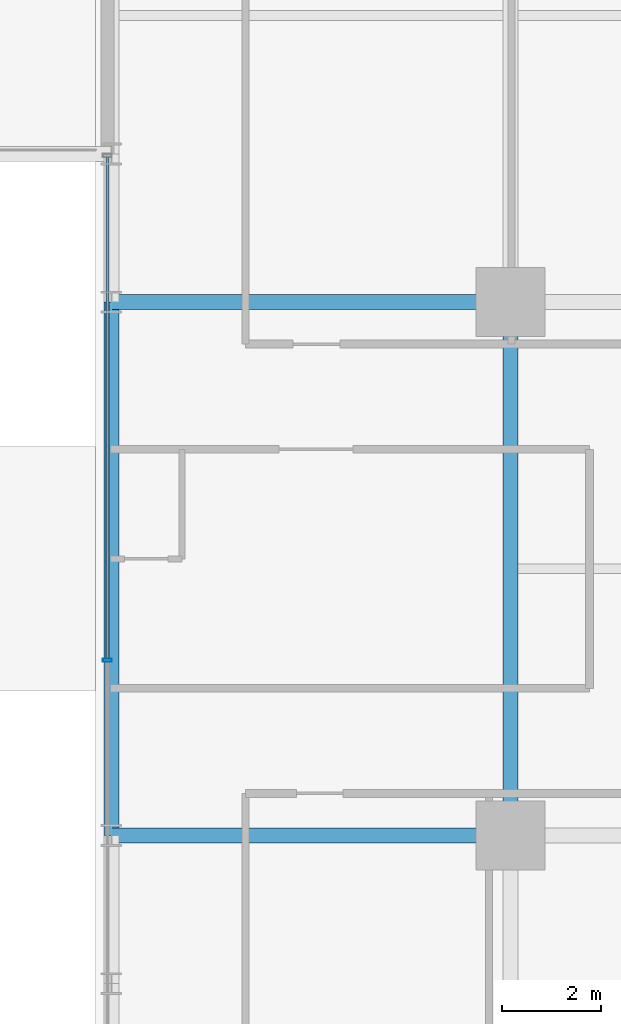
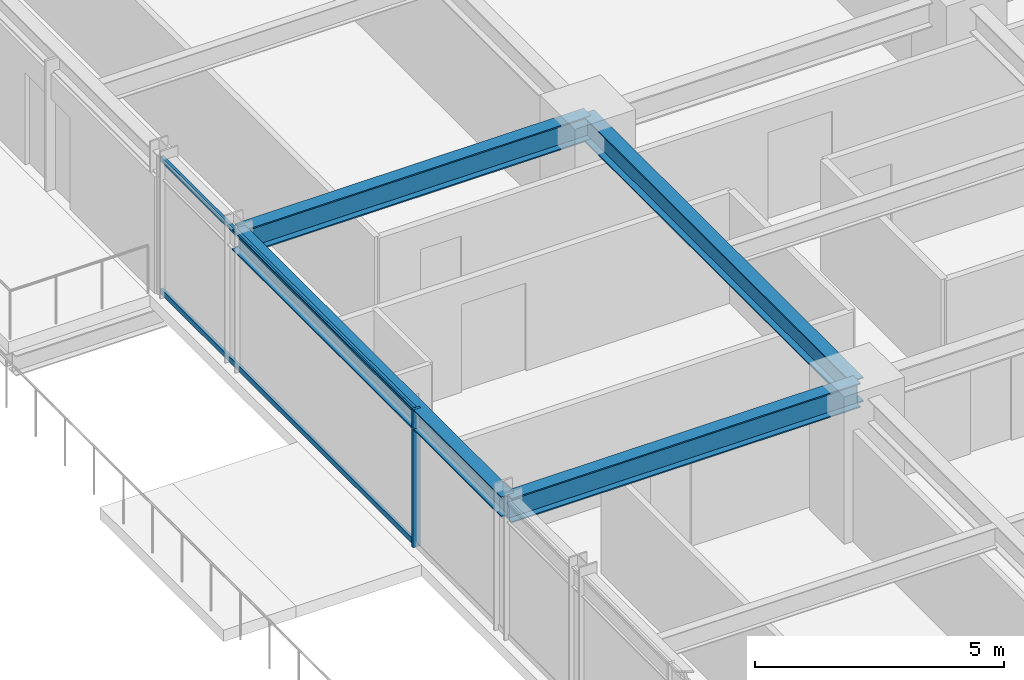
# One storey, part 10 of 39: 4 beams, 3 members, 1 element without a shape of its own.
"""IFC4 building model written with IfcOpenShell, lengths in metres."""

from ifc_helpers import new_model, si_unit, direction, frame, origin, origin_2d, place, context, subcontext, project, spatial, hollow_rectangle, i_section, extrude, source, transform, mapped, material, material_profile, profile_set, type_object, element, aggregate, save


model = new_model("IFC4")

# Units and contexts
model_context = context("Model", 3, precision=1e-05, world=origin(), true_north=direction((0.0, 1.0)))
body_context = subcontext(model_context, "Body", "Model", "MODEL_VIEW")
ifc_project = project(units=[si_unit("LENGTHUNIT", "METRE"), si_unit("AREAUNIT", "SQUARE_METRE"), si_unit("VOLUMEUNIT", "CUBIC_METRE"), si_unit("PLANEANGLEUNIT", "RADIAN"), si_unit("MASSUNIT", "GRAM", prefix="KILO")], contexts=[model_context])

# Site, building, storey
site_placement = place(None, origin())
site = spatial("IfcSite", under=ifc_project, at=site_placement, CompositionType="ELEMENT")
building_placement = place(site_placement, origin())
building = spatial("IfcBuilding", under=site, at=building_placement, Name="Nahalor Promenade Grand Hotel", CompositionType="ELEMENT")
storey_placement = place(building_placement, frame((0.0, 0.0, 32.39990234375)))
storey = spatial("IfcBuildingStorey", under=building, at=storey_placement, Name="L06", CompositionType="ELEMENT", Elevation=32.39990234375)

# Beams
ifc_material_1 = material(Name="Steel S355JR", Category="steel")
ifc_material_profile_1 = material_profile(ifc_material_1, i_section(OverallWidth=0.3, OverallDepth=0.6, WebThickness=0.0155, FlangeThickness=0.03, at=origin_2d()), Name="HEB 600")
ifc_profile_set_1 = profile_set([ifc_material_profile_1], Name="Steel S355JR")
beam_type_1 = type_object("IfcBeamType", Name="Beam-Girder-HEB600", PredefinedType="BEAM", material=ifc_profile_set_1)
shared_shape_1 = source(origin(), body_context, "Body", "SweptSolid", [
    extrude(i_section(OverallWidth=0.3, OverallDepth=0.6, WebThickness=0.0155, FlangeThickness=0.03, at=origin_2d()), origin(), (0.0, 0.0, 1.0), 10.7998046875),
])
beam_1_placement = place(storey_placement, frame((-17.0, -5.39990234375, 3.070068359375), z_axis=(0.0, 1.0, 0.0), x_axis=(-1.0, 0.0, 0.0)))
element("IfcBeam", 1, at=beam_1_placement, inside=storey, type_object=beam_type_1, Name="BM-L06-GY-0-2", PredefinedType="BEAM", context=body_context, shape_type="MappedRepresentation", body=[
    mapped(shared_shape_1, transform((0.0, 0.0, 0.0), scale=1.0)),
])
ifc_material_profile_2 = material_profile(ifc_material_1, i_section(OverallWidth=0.3, OverallDepth=0.5, WebThickness=0.0145, FlangeThickness=0.028, at=origin_2d()), Name="HEB 500")
ifc_profile_set_2 = profile_set([ifc_material_profile_2], Name="Steel S355JR")
beam_type_2 = type_object("IfcBeamType", Name="Beam-Spandrel-HEB500", PredefinedType="SPANDREL", material=ifc_profile_set_2)
shared_shape_2 = source(origin(), body_context, "Body", "SweptSolid", [
    extrude(i_section(OverallWidth=0.3, OverallDepth=0.5, WebThickness=0.0145, FlangeThickness=0.028, at=origin_2d()), origin(), (0.0, 0.0, 1.0), 10.7998046875),
])
beam_2_placement = place(storey_placement, frame((-25.080078125, -5.39990234375, 3.1201171875), z_axis=(0.0, 1.0, 0.0), x_axis=(-1.0, 0.0, 0.0)))
element("IfcBeam", 2, at=beam_2_placement, inside=storey, type_object=beam_type_2, Name="BM-L06-SP-W-2", PredefinedType="SPANDREL", context=body_context, shape_type="MappedRepresentation", body=[
    mapped(shared_shape_2, transform((0.0, 0.0, 0.0), scale=1.0)),
])
shared_shape_3 = source(origin(), body_context, "Body", "SweptSolid", [
    extrude(i_section(OverallWidth=0.3, OverallDepth=0.6, WebThickness=0.0155, FlangeThickness=0.03, at=origin_2d()), origin(), (0.0, 0.0, 1.0), 8.080078125),
])
for number, where, z_axis, x_axis, name in (
    (3, (-25.080078125, -5.39990234375, 3.070068359375), (1.0, 0.0, 0.0), (0.0, 1.0, 0.0), "BM-L06-GX-1-0"),
    (4, (-25.080078125, 5.39990234375, 3.070068359375), (1.0, 0.0, 0.0), (0.0, 1.0, 0.0), "BM-L06-GX-2-0"),
):
    element("IfcBeam", number, at=place(storey_placement, frame(where, z_axis=z_axis, x_axis=x_axis)), inside=storey, type_object=beam_type_1, Name=name, PredefinedType="BEAM", context=body_context, shape_type="MappedRepresentation", body=[
        mapped(shared_shape_3, transform((0.0, 0.0, 0.0), scale=1.0)),
    ])

# Curtain wall, members
ifc_material_2 = material(Name="Anodised Bronze Aluminium EN AW-6063 T6", Category="aluminium")
curtain_wall_type = type_object("IfcCurtainWallType", Name="CW2 Typical Hotel Flush Bronze Unitised Curtain Wall", PredefinedType="USERDEFINED", material=ifc_material_2)
curtain_wall_placement = place(storey_placement, origin())
curtain_wall = element("IfcCurtainWall", 5, at=curtain_wall_placement, inside=storey, type_object=curtain_wall_type, Name="L06 Curtain Wall CW-L06-W-1", ObjectType="UNITISED_CURTAIN_WALL", PredefinedType="USERDEFINED")
ifc_material_profile_3 = material_profile(ifc_material_2, hollow_rectangle(XDim=0.065, YDim=0.18, WallThickness=0.004, at=origin_2d()), Name="CWM 65x180x4")
ifc_profile_set_3 = profile_set([ifc_material_profile_3], Name="Anodised Bronze Aluminium EN AW-6063 T6")
member_type_1 = type_object("IfcMemberType", Name="CWM2 Typical Bronze Mullion 65x180", PredefinedType="MULLION", material=ifc_profile_set_3)
shared_shape_4 = source(origin(), body_context, "Body", "SweptSolid", [
    extrude(hollow_rectangle(XDim=0.065, YDim=0.18, WallThickness=0.004, at=origin_2d()), origin(), (0.0, 0.0, 1.0), 3.3701171875),
])
member_1_placement = place(storey_placement, frame((-25.159912109375, -1.853271484375, 0.0), z_axis=(0.0, 0.0, 1.0), x_axis=(0.0, 1.0, 0.0)))
member_1 = element("IfcMember", 6, at=member_1_placement, type_object=member_type_1, Name="CW-L06-W-1 Mullion 2", PredefinedType="MULLION", context=body_context, shape_type="MappedRepresentation", body=[
    mapped(shared_shape_4, transform((0.0, 0.0, 0.0), scale=1.0)),
])
ifc_material_profile_4 = material_profile(ifc_material_2, hollow_rectangle(XDim=0.065, YDim=0.13, WallThickness=0.004, at=origin_2d()), Name="CWT 65x130x4")
ifc_profile_set_4 = profile_set([ifc_material_profile_4], Name="Anodised Bronze Aluminium EN AW-6063 T6")
member_type_2 = type_object("IfcMemberType", Name="CWT2 Typical Bronze Transom 65x130", PredefinedType="USERDEFINED", material=ifc_profile_set_4)
shared_shape_5 = source(origin(), body_context, "Body", "SweptSolid", [
    extrude(hollow_rectangle(XDim=0.065, YDim=0.13, WallThickness=0.004, at=origin_2d()), origin(), (0.0, 0.0, 1.0), 10.15576171875),
])
member_2_placement = place(storey_placement, frame((-25.159912109375, -1.82080078125, 0.065185546875), z_axis=(0.0, 1.0, 0.0), x_axis=(-1.0, 0.0, 0.0)))
member_2 = element("IfcMember", 7, at=member_2_placement, type_object=member_type_2, Name="CW-L06-W-1 Transom 2-0", ObjectType="TRANSOM", PredefinedType="USERDEFINED", context=body_context, shape_type="MappedRepresentation", body=[
    mapped(shared_shape_5, transform((0.0, 0.0, 0.0), scale=1.0)),
])
member_3_placement = place(storey_placement, frame((-25.159912109375, -1.82080078125, 3.30517578125), z_axis=(0.0, 1.0, 0.0), x_axis=(-1.0, 0.0, 0.0)))
member_3 = element("IfcMember", 8, at=member_3_placement, type_object=member_type_2, Name="CW-L06-W-1 Transom 2-1", ObjectType="TRANSOM", PredefinedType="USERDEFINED", context=body_context, shape_type="MappedRepresentation", body=[
    mapped(shared_shape_5, transform((0.0, 0.0, 0.0), scale=1.0)),
])
aggregate(curtain_wall, [member_1, member_2, member_3])

save(model, "model.ifc")
